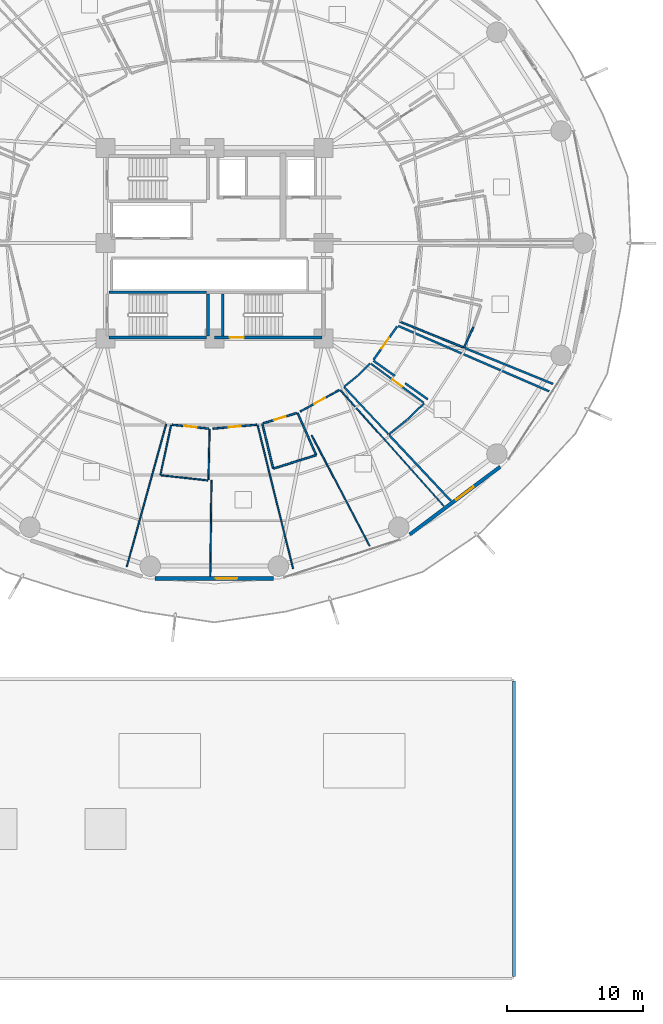
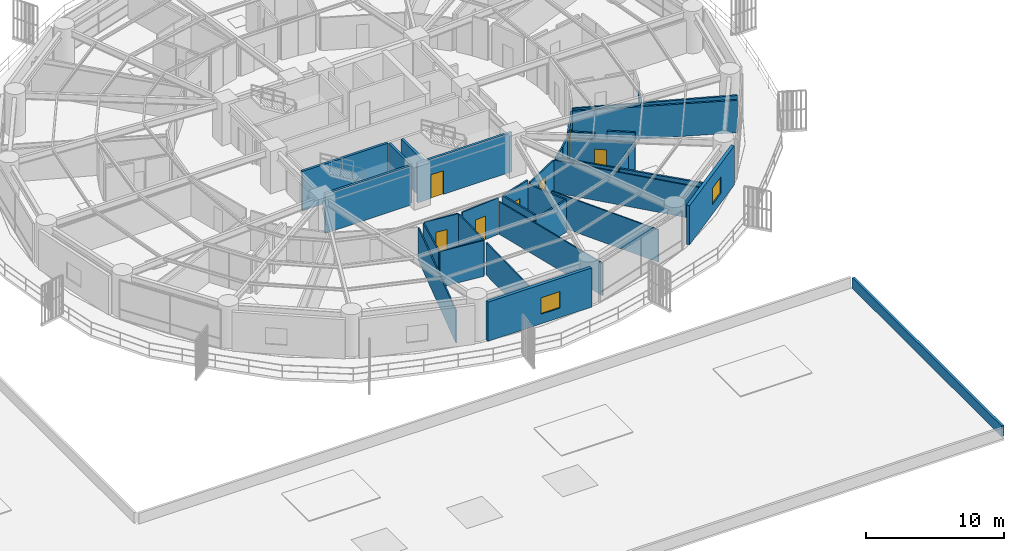
# One storey, part 25 of 35: 37 walls, 7 doors, 2 windows, 9 openings.
"""IFC4 building model written with IfcOpenShell, lengths in metres."""

from ifc_helpers import new_model, si_unit, direction, frame, frame_2d, origin, place, context, subcontext, project, spatial, rectangle, extrude, material, layer, layer_set, type_object, element, fill, save


model = new_model("IFC4")

# Units and contexts
model_context = context("Model", 3, precision=1e-05, world=origin(), true_north=direction((0.0, 1.0)))
body_context = subcontext(model_context, "Body", "Model", "MODEL_VIEW")
ifc_project = project(units=[si_unit("LENGTHUNIT", "METRE"), si_unit("AREAUNIT", "SQUARE_METRE"), si_unit("VOLUMEUNIT", "CUBIC_METRE"), si_unit("PLANEANGLEUNIT", "RADIAN"), si_unit("MASSUNIT", "GRAM", prefix="KILO")], contexts=[model_context])

# Site, building, storey
site_placement = place(None, origin())
site = spatial("IfcSite", under=ifc_project, at=site_placement, CompositionType="ELEMENT")
building_placement = place(site_placement, origin())
building = spatial("IfcBuilding", under=site, at=building_placement, Name="Kelanora Arch Commons", CompositionType="ELEMENT")
storey_placement = place(building_placement, frame((0.0, 0.0, 22.5)))
storey = spatial("IfcBuildingStorey", under=building, at=storey_placement, Name="L05", CompositionType="ELEMENT", Elevation=22.5)

# Wall, opening, door
ifc_material_1 = material(Name="Autoclaved aerated concrete blockwork with fire plaster", Category="masonry")
ifc_layer_1 = layer(ifc_material_1, 0.14990234375)
ifc_layer_set_1 = layer_set([ifc_layer_1], Name="Autoclaved aerated concrete blockwork with fire plaster")
wall_type_1 = type_object("IfcWallType", Name="W-COMP-150", PredefinedType="PARTITIONING", material=ifc_layer_set_1)
wall_1_placement = place(storey_placement, frame((85.685791015625, 49.43798828125, 0.0), z_axis=(0.0, 0.0, 1.0), x_axis=(0.579107689823, 0.815251055557, 0.0)))
wall_1 = element("IfcWall", 1, at=wall_1_placement, inside=storey, type_object=wall_type_1, Name="Co-Living Studio L05-13 Entry Partition", PredefinedType="PARTITIONING", context=body_context, shape_type="SweptSolid", body=[
    extrude(rectangle(XDim=3.00537109375, YDim=0.14990234375, at=frame_2d((1.502685546875, 0.0))), origin(), (0.0, 0.0, 1.0), 2.875),
])
opening_1_placement = place(wall_1_placement, frame((1.028076171875, 0.0, 0.0)))
opening_1 = element("IfcOpeningElement", 2, at=opening_1_placement, cuts=wall_1, Name="Opening D-CLU1", PredefinedType="OPENING", context=body_context, shape_type="SweptSolid", body=[
    extrude(rectangle(XDim=0.949951171875, YDim=2.080078125, at=frame_2d((0.47509765625, 1.0400390625))), frame((0.0, 0.0849609375, 0.0), z_axis=(0.0, -1.0, 0.0), x_axis=(1.0, 0.0, 0.0)), (0.0, 0.0, 1.0), 0.169921875),
])
ifc_material_2 = material(Name="Solid-core acoustic timber cluster entry fire door", Category="wood")
door_type_1 = type_object("IfcDoorType", Name="D-CLU-95", OperationType="NOTDEFINED", PredefinedType="DOOR", material=ifc_material_2)
door_1_placement = place(opening_1_placement, origin())
door_1 = element("IfcDoor", 3, at=door_1_placement, inside=storey, type_object=door_type_1, Name="Co-Living Studio L05-13 Door", OperationType="SINGLE_SWING_LEFT", OverallHeight=2.080078125, OverallWidth=0.949951171875, PredefinedType="DOOR", context=body_context, shape_type="SweptSolid", body=[
    extrude(rectangle(XDim=0.949951171875, YDim=2.080078125, at=frame_2d((0.47509765625, 1.0400390625))), frame((0.0, 0.02490234375, 0.0), z_axis=(0.0, -1.0, 0.0), x_axis=(1.0, 0.0, 0.0)), (0.0, 0.0, 1.0), 0.050048828125),
])
fill(opening_1, door_1)

# Walls
wall_2_placement = place(storey_placement, frame((87.497802734375, 51.921142578125, 0.0), z_axis=(0.0, 0.0, 1.0), x_axis=(0.917695041134, -0.397285554077, 0.0)))
element("IfcWall", 4, at=wall_2_placement, inside=storey, type_object=wall_type_1, Name="Co-Living Studio L05-13 Enclosure Partition 2", PredefinedType="PARTITIONING", context=body_context, shape_type="SweptSolid", body=[
    extrude(rectangle(XDim=12.06982421875, YDim=0.14990234375, at=frame_2d((6.034912109375, 0.0))), origin(), (0.0, 0.0, 1.0), 2.875),
])
wall_3_placement = place(storey_placement, frame((91.36767578125, 39.078125, 0.0), z_axis=(0.0, 0.0, 1.0), x_axis=(-0.684296653493, 0.729203736975, 0.0)))
element("IfcWall", 5, at=wall_3_placement, inside=storey, type_object=wall_type_1, Name="Co-Living Studio L05-13 Enclosure Partition 5", PredefinedType="PARTITIONING", context=body_context, shape_type="SweptSolid", body=[
    extrude(rectangle(XDim=6.60009765625, YDim=0.14990234375, at=frame_2d((3.300048828125, 0.0))), origin(), (0.0, 0.0, 1.0), 2.875),
])
wall_4_placement = place(storey_placement, frame((89.67138671875, 46.533203125, 0.0), z_axis=(0.0, 0.0, 1.0), x_axis=(-0.815281399299, 0.579064970411, 0.0)))
element("IfcWall", 6, at=wall_4_placement, inside=storey, type_object=wall_type_1, Name="Co-Living Studio L05-13 Enclosure Partition 7", PredefinedType="PARTITIONING", context=body_context, shape_type="SweptSolid", body=[
    extrude(rectangle(XDim=2.042236328125, YDim=0.14990234375, at=frame_2d((1.02099609375, 0.0))), origin(), (0.0, 0.0, 1.0), 3.47998046875),
])
wall_5_placement = place(storey_placement, frame((87.256103515625, 48.248779296875, 0.0), z_axis=(0.0, 0.0, 1.0), x_axis=(-0.815270043711, 0.579080957922, 0.0)))
element("IfcWall", 7, at=wall_5_placement, inside=storey, type_object=wall_type_1, Name="Co-Living Studio L05-13 Enclosure Partition 7", PredefinedType="PARTITIONING", context=body_context, shape_type="SweptSolid", body=[
    extrude(rectangle(XDim=1.9287109375, YDim=0.14990234375, at=frame_2d((0.96435546875, 0.0))), origin(), (0.0, 0.0, 1.0), 3.235107421875),
])
wall_6_placement = place(storey_placement, frame((98.864990234375, 47.6640625, 0.0), z_axis=(0.0, 0.0, 1.0), x_axis=(-0.926325178802, 0.376724917038, 0.0)))
element("IfcWall", 8, at=wall_6_placement, inside=storey, type_object=wall_type_1, Name="Co-Living Studio L05-14 Enclosure Partition 5", PredefinedType="PARTITIONING", context=body_context, shape_type="SweptSolid", body=[
    extrude(rectangle(XDim=6.9833984375, YDim=0.14990234375, at=frame_2d((3.49169921875, 0.0))), origin(), (0.0, 0.0, 1.0), 2.875),
])

# Wall, opening, window
ifc_material_3 = material(Name="Precast concrete C40/50 with terracotta rainscreen", Category="masonry")
ifc_layer_2 = layer(ifc_material_3, 0.260009765625)
ifc_layer_set_2 = layer_set([ifc_layer_2], Name="Precast concrete C40/50 with terracotta rainscreen")
wall_type_2 = type_object("IfcWallType", Name="W-EXT-TC", PredefinedType="SOLIDWALL", material=ifc_layer_set_2)
wall_7_placement = place(storey_placement, frame((69.64404296875, 33.3798828125, 0.0), z_axis=(0.0, 0.0, 1.0), x_axis=(1.0, 0.0, 0.0)))
wall_7 = element("IfcWall", 9, at=wall_7_placement, inside=storey, type_object=wall_type_2, Name="Terracotta Exterior Wall L05-B13", PredefinedType="SOLIDWALL", context=body_context, shape_type="SweptSolid", body=[
    extrude(rectangle(XDim=8.7119140625, YDim=0.260009765625, at=frame_2d((4.35595703125, 0.0))), origin(), (0.0, 0.0, 1.0), 3.47509765625),
])
opening_2_placement = place(wall_7_placement, frame((4.4560546875, 0.0, 0.85009765625)))
opening_2 = element("IfcOpeningElement", 10, at=opening_2_placement, cuts=wall_7, Name="Opening WN-01", PredefinedType="OPENING", context=body_context, shape_type="SweptSolid", body=[
    extrude(rectangle(XDim=1.60009765625, YDim=1.449951171875, at=frame_2d((0.800048828125, 0.72509765625))), frame((0.0, 0.14013671875, 0.0), z_axis=(0.0, -1.0, 0.0), x_axis=(1.0, 0.0, 0.0)), (0.0, 0.0, 1.0), 0.280029296875),
])
ifc_material_4 = material(Name="Terracotta-anodised aluminium frame with operable low-E glazing", Category="masonry")
window_type = type_object("IfcWindowType", Name="WIN-CL-18", PartitioningType="DOUBLE_PANEL_VERTICAL", PredefinedType="WINDOW", material=ifc_material_4)
window_1_placement = place(opening_2_placement, origin())
window_1 = element("IfcWindow", 11, at=window_1_placement, inside=storey, type_object=window_type, Name="Co-Living Operable Window L05-B13", OverallHeight=1.449951171875, OverallWidth=1.60009765625, PartitioningType="SINGLE_PANEL", PredefinedType="WINDOW", context=body_context, shape_type="SweptSolid", body=[
    extrude(rectangle(XDim=1.60009765625, YDim=1.449951171875, at=frame_2d((0.800048828125, 0.72509765625))), frame((0.0, 0.030029296875, 0.0), z_axis=(0.0, -1.0, 0.0), x_axis=(1.0, 0.0, 0.0)), (0.0, 0.0, 1.0), 0.06005859375),
])
fill(opening_2, window_1)

wall_8_placement = place(storey_placement, frame((88.348876953125, 36.61083984375, 0.0), z_axis=(0.0, 0.0, 1.0), x_axis=(0.80030733173, 0.599590005569, 0.0)))
wall_8 = element("IfcWall", 12, at=wall_8_placement, inside=storey, type_object=wall_type_2, Name="Terracotta Exterior Wall L05-B15", PredefinedType="SOLIDWALL", context=body_context, shape_type="SweptSolid", body=[
    extrude(rectangle(XDim=8.29052734375, YDim=0.260009765625, at=frame_2d((4.145263671875, 0.0))), origin(), (0.0, 0.0, 1.0), 3.47509765625),
])
opening_3_placement = place(wall_8_placement, frame((4.2451171875, 0.0, 0.85009765625)))
opening_3 = element("IfcOpeningElement", 13, at=opening_3_placement, cuts=wall_8, Name="Opening WN-01", PredefinedType="OPENING", context=body_context, shape_type="SweptSolid", body=[
    extrude(rectangle(XDim=1.60009765625, YDim=1.449951171875, at=frame_2d((0.800048828125, 0.72509765625))), frame((0.0, 0.14013671875, 0.0), z_axis=(0.0, -1.0, 0.0), x_axis=(1.0, 0.0, 0.0)), (0.0, 0.0, 1.0), 0.280029296875),
])
window_2_placement = place(opening_3_placement, origin())
window_2 = element("IfcWindow", 14, at=window_2_placement, inside=storey, type_object=window_type, Name="Co-Living Operable Window L05-B15", OverallHeight=1.449951171875, OverallWidth=1.60009765625, PartitioningType="SINGLE_PANEL", PredefinedType="WINDOW", context=body_context, shape_type="SweptSolid", body=[
    extrude(rectangle(XDim=1.60009765625, YDim=1.449951171875, at=frame_2d((0.800048828125, 0.72509765625))), frame((0.0, 0.030029296875, 0.0), z_axis=(0.0, -1.0, 0.0), x_axis=(1.0, 0.0, 0.0)), (0.0, 0.0, 1.0), 0.06005859375),
])
fill(opening_3, window_2)

# Walls
ifc_material_5 = material(Name="Precast concrete C40/50 parapet", Category="concrete")
ifc_layer_3 = layer(ifc_material_5, 0.18994140625)
ifc_layer_set_3 = layer_set([ifc_layer_3], Name="Precast concrete C40/50 parapet")
wall_type_3 = type_object("IfcWallType", Name="W-PARAPET", PredefinedType="PARAPET", material=ifc_layer_set_3)
wall_9_placement = place(storey_placement, frame((96.0, 4.14990234375, 0.0), z_axis=(0.0, 0.0, 1.0), x_axis=(0.0, 1.0, 0.0)))
element("IfcWall", 15, at=wall_9_placement, inside=storey, type_object=wall_type_3, Name="Market Hall Roof Parapet 2", PredefinedType="PARAPET", context=body_context, shape_type="SweptSolid", body=[
    extrude(rectangle(XDim=21.7001953125, YDim=0.18994140625, at=frame_2d((10.85009765625, 0.0))), origin(), (0.0, 0.0, 1.0), 0.949951171875),
])
ifc_material_6 = material(Name="Lightweight fire-rated acoustic stud partition")
ifc_layer_4 = layer(ifc_material_6, 0.10009765625)
ifc_layer_set_4 = layer_set([ifc_layer_4], Name="Lightweight fire-rated acoustic stud partition")
wall_type_4 = type_object("IfcWallType", Name="W-PART-100", PredefinedType="PARTITIONING", material=ifc_layer_set_4)
wall_10_placement = place(storey_placement, frame((70.46630859375, 44.71142578125, 0.0), z_axis=(0.0, 0.0, 1.0), x_axis=(-0.26671307518, -0.963775977875, 0.0)))
element("IfcWall", 16, at=wall_10_placement, inside=storey, type_object=wall_type_4, Name="Quiet Seminar Study Room L05-10 Enclosure Partition 2", PredefinedType="PARTITIONING", context=body_context, shape_type="SweptSolid", body=[
    extrude(rectangle(XDim=10.864501953125, YDim=0.10009765625, at=frame_2d((5.43212890625, 0.0))), origin(), (0.0, 0.0, 1.0), 2.875),
])
wall_11_placement = place(storey_placement, frame((73.652099609375, 44.333984375, 0.0), z_axis=(0.0, 0.0, 1.0), x_axis=(-0.02316715399, -0.99973160547, 0.0)))
element("IfcWall", 17, at=wall_11_placement, inside=storey, type_object=wall_type_4, Name="Student Laundry Room L05-11 Enclosure Partition 2", PredefinedType="PARTITIONING", context=body_context, shape_type="SweptSolid", body=[
    extrude(rectangle(XDim=3.719970703125, YDim=0.10009765625, at=frame_2d((1.85986328125, 0.0))), origin(), (0.0, 0.0, 1.0), 3.175048828125),
])
wall_12_placement = place(storey_placement, frame((73.525146484375, 40.579345703125, 0.0), z_axis=(0.0, 0.0, 1.0), x_axis=(-0.994070147468, 0.108740709544, 0.0)))
element("IfcWall", 18, at=wall_12_placement, inside=storey, type_object=wall_type_4, Name="Student Laundry Room L05-11 Enclosure Partition 3", PredefinedType="PARTITIONING", context=body_context, shape_type="SweptSolid", body=[
    extrude(rectangle(XDim=3.470947265625, YDim=0.10009765625, at=frame_2d((1.7353515625, 0.0))), origin(), (0.0, 0.0, 1.0), 3.175048828125),
])
wall_13_placement = place(storey_placement, frame((70.04345703125, 41.0, 0.0), z_axis=(0.0, 0.0, 1.0), x_axis=(0.210519412271, 0.977589677246, 0.0)))
element("IfcWall", 19, at=wall_13_placement, inside=storey, type_object=wall_type_4, Name="Student Laundry Room L05-11 Enclosure Partition 4", PredefinedType="PARTITIONING", context=body_context, shape_type="SweptSolid", body=[
    extrude(rectangle(XDim=3.72021484375, YDim=0.10009765625, at=frame_2d((1.860107421875, 0.0))), origin(), (0.0, 0.0, 1.0), 3.175048828125),
])
wall_14_placement = place(storey_placement, frame((77.174560546875, 44.63720703125, 0.0), z_axis=(0.0, 0.0, 1.0), x_axis=(0.239971369295, -0.970779965759, 0.0)))
element("IfcWall", 20, at=wall_14_placement, inside=storey, type_object=wall_type_4, Name="Quiet Reading Carrel L05-11 Enclosure Partition 2", PredefinedType="PARTITIONING", context=body_context, shape_type="SweptSolid", body=[
    extrude(rectangle(XDim=10.84619140625, YDim=0.10009765625, at=frame_2d((5.423095703125, 0.0))), origin(), (0.0, 0.0, 1.0), 2.875),
])
wall_15_placement = place(storey_placement, frame((73.701416015625, 33.56103515625, 0.0), z_axis=(0.0, 0.0, 1.0), x_axis=(0.012537113793, 0.9999214073, 0.0)))
element("IfcWall", 21, at=wall_15_placement, inside=storey, type_object=wall_type_4, Name="Quiet Reading Carrel L05-11 Enclosure Partition 4", PredefinedType="PARTITIONING", context=body_context, shape_type="SweptSolid", body=[
    extrude(rectangle(XDim=7.04931640625, YDim=0.10009765625, at=frame_2d((3.524658203125, 0.0))), origin(), (0.0, 0.0, 1.0), 2.875),
])
wall_16_placement = place(storey_placement, frame((83.253662109375, 47.211181640625, 0.0), z_axis=(0.0, 0.0, 1.0), x_axis=(0.66580890104, -0.746122313897, 0.0)))
element("IfcWall", 22, at=wall_16_placement, inside=storey, type_object=wall_type_4, Name="Tutorial Study Alcove L05-12 Enclosure Partition 2", PredefinedType="PARTITIONING", context=body_context, shape_type="SweptSolid", body=[
    extrude(rectangle(XDim=11.3994140625, YDim=0.10009765625, at=frame_2d((5.69970703125, 0.0))), origin(), (0.0, 0.0, 1.0), 2.875),
])
wall_17_placement = place(storey_placement, frame((85.4013671875, 35.769287109375, 0.0), z_axis=(0.0, 0.0, 1.0), x_axis=(-0.464308397246, 0.885673592384, 0.0)))
element("IfcWall", 23, at=wall_17_placement, inside=storey, type_object=wall_type_4, Name="Tutorial Study Alcove L05-12 Enclosure Partition 4", PredefinedType="PARTITIONING", context=body_context, shape_type="SweptSolid", body=[
    extrude(rectangle(XDim=9.170166015625, YDim=0.10009765625, at=frame_2d((4.5849609375, 0.0))), origin(), (0.0, 0.0, 1.0), 2.875),
])

# Wall, opening, door
ifc_material_7 = material(Name="Acoustic twin-stud fire-rated gypsum partition")
ifc_layer_5 = layer(ifc_material_7, 0.1201171875)
ifc_layer_set_5 = layer_set([ifc_layer_5], Name="Acoustic twin-stud fire-rated gypsum partition")
wall_type_5 = type_object("IfcWallType", Name="W-PART-120", PredefinedType="PARTITIONING", material=ifc_layer_set_5)
wall_18_placement = place(storey_placement, frame((70.894775390625, 44.669677734375, 0.0), z_axis=(0.0, 0.0, 1.0), x_axis=(0.994302004983, -0.106599825921, 0.0)))
wall_18 = element("IfcWall", 24, at=wall_18_placement, inside=storey, type_object=wall_type_5, Name="Student Laundry Room L05-11 Entry Partition", PredefinedType="PARTITIONING", context=body_context, shape_type="SweptSolid", body=[
    extrude(rectangle(XDim=2.7138671875, YDim=0.1201171875, at=frame_2d((1.35693359375, 0.0))), origin(), (0.0, 0.0, 1.0), 3.235107421875),
])
opening_4_placement = place(wall_18_placement, frame((0.906982421875, 0.0, 0.0)))
opening_4 = element("IfcOpeningElement", 25, at=opening_4_placement, cuts=wall_18, Name="Opening D-RM1", PredefinedType="OPENING", context=body_context, shape_type="SweptSolid", body=[
    extrude(rectangle(XDim=0.89990234375, YDim=2.080078125, at=frame_2d((0.449951171875, 1.0400390625))), frame((0.0, 0.070068359375, 0.0), z_axis=(0.0, -1.0, 0.0), x_axis=(1.0, 0.0, 0.0)), (0.0, 0.0, 1.0), 0.14013671875),
])
ifc_material_8 = material(Name="Acoustic fire-rated timber study and lounge door", Category="wood")
door_type_2 = type_object("IfcDoorType", Name="D-ROOM-90", OperationType="NOTDEFINED", PredefinedType="DOOR", material=ifc_material_8)
door_2_placement = place(opening_4_placement, origin())
door_2 = element("IfcDoor", 26, at=door_2_placement, inside=storey, type_object=door_type_2, Name="Student Laundry Room L05-11 Door", OperationType="SINGLE_SWING_RIGHT", OverallHeight=2.080078125, OverallWidth=0.89990234375, PredefinedType="DOOR", context=body_context, shape_type="SweptSolid", body=[
    extrude(rectangle(XDim=0.89990234375, YDim=2.080078125, at=frame_2d((0.449951171875, 1.0400390625))), frame((0.0, 0.02490234375, 0.0), z_axis=(0.0, -1.0, 0.0), x_axis=(1.0, 0.0, 0.0)), (0.0, 0.0, 1.0), 0.050048828125),
])
fill(opening_4, door_2)

wall_19_placement = place(storey_placement, frame((73.896728515625, 44.37646484375, 0.0), z_axis=(0.0, 0.0, 1.0), x_axis=(0.995829610124, 0.091232601628, 0.0)))
wall_19 = element("IfcWall", 27, at=wall_19_placement, inside=storey, type_object=wall_type_5, Name="Quiet Reading Carrel L05-11 Entry Partition", PredefinedType="PARTITIONING", context=body_context, shape_type="SweptSolid", body=[
    extrude(rectangle(XDim=3.221923828125, YDim=0.1201171875, at=frame_2d((1.61083984375, 0.0))), origin(), (0.0, 0.0, 1.0), 3.235107421875),
])
opening_5_placement = place(wall_19_placement, frame((1.160888671875, 0.0, 0.0)))
opening_5 = element("IfcOpeningElement", 28, at=opening_5_placement, cuts=wall_19, Name="Opening D-RM1", PredefinedType="OPENING", context=body_context, shape_type="SweptSolid", body=[
    extrude(rectangle(XDim=0.89990234375, YDim=2.080078125, at=frame_2d((0.449951171875, 1.0400390625))), frame((0.0, 0.070068359375, 0.0), z_axis=(0.0, -1.0, 0.0), x_axis=(1.0, 0.0, 0.0)), (0.0, 0.0, 1.0), 0.14013671875),
])
door_3_placement = place(opening_5_placement, origin())
door_3 = element("IfcDoor", 29, at=door_3_placement, inside=storey, type_object=door_type_2, Name="Quiet Reading Carrel L05-11 Door", OperationType="SINGLE_SWING_LEFT", OverallHeight=2.080078125, OverallWidth=0.89990234375, PredefinedType="DOOR", context=body_context, shape_type="SweptSolid", body=[
    extrude(rectangle(XDim=0.89990234375, YDim=2.080078125, at=frame_2d((0.449951171875, 1.0400390625))), frame((0.0, 0.02490234375, 0.0), z_axis=(0.0, -1.0, 0.0), x_axis=(1.0, 0.0, 0.0)), (0.0, 0.0, 1.0), 0.050048828125),
])
fill(opening_5, door_3)

wall_20_placement = place(storey_placement, frame((80.298583984375, 45.6318359375, 0.0), z_axis=(0.0, 0.0, 1.0), x_axis=(0.876387079092, 0.481607399861, 0.0)))
wall_20 = element("IfcWall", 30, at=wall_20_placement, inside=storey, type_object=wall_type_5, Name="Tutorial Study Alcove L05-12 Entry Partition", PredefinedType="PARTITIONING", context=body_context, shape_type="SweptSolid", body=[
    extrude(rectangle(XDim=3.28125, YDim=0.1201171875, at=frame_2d((1.640625, 0.0))), origin(), (0.0, 0.0, 1.0), 2.875),
])
opening_6_placement = place(wall_20_placement, frame((1.19091796875, 0.0, 0.0)))
opening_6 = element("IfcOpeningElement", 31, at=opening_6_placement, cuts=wall_20, Name="Opening D-RM1", PredefinedType="OPENING", context=body_context, shape_type="SweptSolid", body=[
    extrude(rectangle(XDim=0.89990234375, YDim=2.080078125, at=frame_2d((0.449951171875, 1.0400390625))), frame((0.0, 0.070068359375, 0.0), z_axis=(0.0, -1.0, 0.0), x_axis=(1.0, 0.0, 0.0)), (0.0, 0.0, 1.0), 0.14013671875),
])
door_4_placement = place(opening_6_placement, origin())
door_4 = element("IfcDoor", 32, at=door_4_placement, inside=storey, type_object=door_type_2, Name="Tutorial Study Alcove L05-12 Door", OperationType="SINGLE_SWING_LEFT", OverallHeight=2.080078125, OverallWidth=0.89990234375, PredefinedType="DOOR", context=body_context, shape_type="SweptSolid", body=[
    extrude(rectangle(XDim=0.89990234375, YDim=2.080078125, at=frame_2d((0.449951171875, 1.0400390625))), frame((0.0, 0.02490234375, 0.0), z_axis=(0.0, -1.0, 0.0), x_axis=(1.0, 0.0, 0.0)), (0.0, 0.0, 1.0), 0.050048828125),
])
fill(opening_6, door_4)

ifc_material_9 = material(Name="Concrete C40/50", Category="concrete")
ifc_layer_6 = layer(ifc_material_9, 0.199951171875)
ifc_layer_set_6 = layer_set([ifc_layer_6], Name="Concrete C40/50")
wall_type_6 = type_object("IfcWallType", Name="W-STAIR-200", PredefinedType="SHEAR", material=ifc_layer_set_6)
wall_21_placement = place(storey_placement, frame((74.0, 51.080078125, 0.0), z_axis=(0.0, 0.0, 1.0), x_axis=(1.0, 0.0, 0.0)))
wall_21 = element("IfcWall", 33, at=wall_21_placement, inside=storey, type_object=wall_type_6, Name="Stair ST-T2 Shaft Wall S L05", PredefinedType="SHEAR", context=body_context, shape_type="SweptSolid", body=[
    extrude(rectangle(XDim=7.89990234375, YDim=0.199951171875, at=frame_2d((3.949951171875, 0.0))), origin(), (0.0, 0.0, 1.0), 3.489990234375),
])
opening_7_placement = place(wall_21_placement, frame((1.1201171875, 0.0, 0.0)))
opening_7 = element("IfcOpeningElement", 34, at=opening_7_placement, cuts=wall_21, Name="Opening D-ST1", PredefinedType="OPENING", context=body_context, shape_type="SweptSolid", body=[
    extrude(rectangle(XDim=1.050048828125, YDim=2.10009765625, at=frame_2d((0.52490234375, 1.050048828125))), frame((0.0, 0.10986328125, 0.0), z_axis=(0.0, -1.0, 0.0), x_axis=(1.0, 0.0, 0.0)), (0.0, 0.0, 1.0), 0.219970703125),
])
ifc_material_10 = material(Name="Steel fire-rated stairwell escape door", Category="steel")
door_type_3 = type_object("IfcDoorType", Name="D-STAIR-110", OperationType="NOTDEFINED", PredefinedType="DOOR", material=ifc_material_10)
door_5_placement = place(opening_7_placement, origin())
door_5 = element("IfcDoor", 35, at=door_5_placement, inside=storey, type_object=door_type_3, Name="Stair ST-T2 Escape Door L05", OperationType="SINGLE_SWING_LEFT", OverallHeight=2.10009765625, OverallWidth=1.050048828125, PredefinedType="DOOR", context=body_context, shape_type="SweptSolid", body=[
    extrude(rectangle(XDim=1.050048828125, YDim=2.10009765625, at=frame_2d((0.52490234375, 1.050048828125))), frame((0.0, 0.02490234375, 0.0), z_axis=(0.0, -1.0, 0.0), x_axis=(1.0, 0.0, 0.0)), (0.0, 0.0, 1.0), 0.050048828125),
])
fill(opening_7, door_5)

# Walls
wall_22_placement = place(storey_placement, frame((74.6201171875, 54.27001953125, 0.0), z_axis=(0.0, 0.0, 1.0), x_axis=(0.0, -1.0, 0.0)))
element("IfcWall", 36, at=wall_22_placement, inside=storey, type_object=wall_type_6, Name="Stair ST-T2 Shaft Wall W L05", PredefinedType="SHEAR", context=body_context, shape_type="SweptSolid", body=[
    extrude(rectangle(XDim=3.070068359375, YDim=0.199951171875, at=frame_2d((1.53515625, 0.0))), origin(), (0.0, 0.0, 1.0), 3.489990234375),
])
wall_23_placement = place(storey_placement, frame((66.260009765625, 51.080078125, 0.0), z_axis=(0.0, 0.0, 1.0), x_axis=(1.0, 0.0, 0.0)))
element("IfcWall", 37, at=wall_23_placement, inside=storey, type_object=wall_type_6, Name="Stair ST-T3 Shaft Wall S L05", PredefinedType="SHEAR", context=body_context, shape_type="SweptSolid", body=[
    extrude(rectangle(XDim=7.159912109375, YDim=0.199951171875, at=frame_2d((3.580078125, 0.0))), origin(), (0.0, 0.0, 1.0), 3.489990234375),
])
wall_24_placement = place(storey_placement, frame((73.5400390625, 51.199951171875, 0.0), z_axis=(0.0, 0.0, 1.0), x_axis=(0.0, 1.0, 0.0)))
element("IfcWall", 38, at=wall_24_placement, inside=storey, type_object=wall_type_6, Name="Stair ST-T3 Shaft Wall E L05", PredefinedType="SHEAR", context=body_context, shape_type="SweptSolid", body=[
    extrude(rectangle(XDim=3.070068359375, YDim=0.199951171875, at=frame_2d((1.53515625, 0.0))), origin(), (0.0, 0.0, 1.0), 3.489990234375),
])
wall_25_placement = place(storey_placement, frame((73.419921875, 54.389892578125, 0.0), z_axis=(0.0, 0.0, 1.0), x_axis=(-1.0, 0.0, 0.0)))
element("IfcWall", 39, at=wall_25_placement, inside=storey, type_object=wall_type_6, Name="Stair ST-T3 Shaft Wall N L05", PredefinedType="SHEAR", context=body_context, shape_type="SweptSolid", body=[
    extrude(rectangle(XDim=7.159912109375, YDim=0.199951171875, at=frame_2d((3.580078125, 0.0))), origin(), (0.0, 0.0, 1.0), 3.489990234375),
])

# Wall, opening, door
ifc_material_11 = material(Name="Moisture-resistant fire-rated cement-board plumbing wall")
ifc_layer_7 = layer(ifc_material_11, 0.1298828125)
ifc_layer_set_7 = layer_set([ifc_layer_7], Name="Moisture-resistant fire-rated cement-board plumbing wall")
wall_type_7 = type_object("IfcWallType", Name="W-WET-120", PredefinedType="PLUMBINGWALL", material=ifc_layer_set_7)
wall_26_placement = place(storey_placement, frame((77.580322265625, 44.767578125, 0.0), z_axis=(0.0, 0.0, 1.0), x_axis=(0.955754448098, 0.294165659011, 0.0)))
wall_26 = element("IfcWall", 40, at=wall_26_placement, inside=storey, type_object=wall_type_7, Name="Accessible Shared Floor WC L05-12 Entry Partition", PredefinedType="PLUMBINGWALL", context=body_context, shape_type="SweptSolid", body=[
    extrude(rectangle(XDim=2.579345703125, YDim=0.1298828125, at=frame_2d((1.28955078125, 0.0))), origin(), (0.0, 0.0, 1.0), 3.235107421875),
])
opening_8_placement = place(wall_26_placement, frame((0.860107421875, 0.0, 0.0)))
opening_8 = element("IfcOpeningElement", 41, at=opening_8_placement, cuts=wall_26, Name="Opening D-BT1", PredefinedType="OPENING", context=body_context, shape_type="SweptSolid", body=[
    extrude(rectangle(XDim=0.860107421875, YDim=2.050048828125, at=frame_2d((0.43017578125, 1.02490234375))), frame((0.0, 0.074951171875, 0.0), z_axis=(0.0, -1.0, 0.0), x_axis=(1.0, 0.0, 0.0)), (0.0, 0.0, 1.0), 0.14990234375),
])
ifc_material_12 = material(Name="Moisture-sealed fire-rated accessible bathroom door")
door_type_4 = type_object("IfcDoorType", Name="D-BATH-85", OperationType="NOTDEFINED", PredefinedType="DOOR", material=ifc_material_12)
door_6_placement = place(opening_8_placement, origin())
door_6 = element("IfcDoor", 42, at=door_6_placement, inside=storey, type_object=door_type_4, Name="Accessible Shared Floor WC L05-12 Door", OperationType="SINGLE_SWING_RIGHT", OverallHeight=2.050048828125, OverallWidth=0.860107421875, PredefinedType="DOOR", context=body_context, shape_type="SweptSolid", body=[
    extrude(rectangle(XDim=0.860107421875, YDim=2.050048828125, at=frame_2d((0.43017578125, 1.02490234375))), frame((0.0, 0.02490234375, 0.0), z_axis=(0.0, -1.0, 0.0), x_axis=(1.0, 0.0, 0.0)), (0.0, 0.0, 1.0), 0.050048828125),
])
fill(opening_8, door_6)

wall_27_placement = place(storey_placement, frame((85.506103515625, 49.143310546875, 0.0), z_axis=(0.0, 0.0, 1.0), x_axis=(0.80412644244, -0.594458295063, 0.0)))
wall_27 = element("IfcWall", 43, at=wall_27_placement, inside=storey, type_object=wall_type_7, Name="En-Suite Shower WC L05-13 Entry Partition", PredefinedType="PLUMBINGWALL", context=body_context, shape_type="SweptSolid", body=[
    extrude(rectangle(XDim=4.798583984375, YDim=0.1298828125, at=frame_2d((2.3994140625, 0.0))), origin(), (0.0, 0.0, 1.0), 2.875),
])
opening_9_placement = place(wall_27_placement, frame((1.968994140625, 0.0, 0.0)))
opening_9 = element("IfcOpeningElement", 44, at=opening_9_placement, cuts=wall_27, Name="Opening D-BT1", PredefinedType="OPENING", context=body_context, shape_type="SweptSolid", body=[
    extrude(rectangle(XDim=0.860107421875, YDim=2.050048828125, at=frame_2d((0.43017578125, 1.02490234375))), frame((0.0, 0.074951171875, 0.0), z_axis=(0.0, -1.0, 0.0), x_axis=(1.0, 0.0, 0.0)), (0.0, 0.0, 1.0), 0.14990234375),
])
door_7_placement = place(opening_9_placement, origin())
door_7 = element("IfcDoor", 45, at=door_7_placement, inside=storey, type_object=door_type_4, Name="En-Suite Shower WC L05-13 Door", OperationType="SINGLE_SWING_RIGHT", OverallHeight=2.050048828125, OverallWidth=0.860107421875, PredefinedType="DOOR", context=body_context, shape_type="SweptSolid", body=[
    extrude(rectangle(XDim=0.860107421875, YDim=2.050048828125, at=frame_2d((0.43017578125, 1.02490234375))), frame((0.0, 0.02490234375, 0.0), z_axis=(0.0, -1.0, 0.0), x_axis=(1.0, 0.0, 0.0)), (0.0, 0.0, 1.0), 0.050048828125),
])
fill(opening_9, door_7)

# Walls
wall_28_placement = place(storey_placement, frame((80.111083984375, 45.525634765625, 0.0), z_axis=(0.0, 0.0, 1.0), x_axis=(0.405936178007, -0.913901427608, 0.0)))
element("IfcWall", 46, at=wall_28_placement, inside=storey, type_object=wall_type_7, Name="Accessible Shared Floor WC L05-12 Enclosure Partition 2", PredefinedType="PLUMBINGWALL", context=body_context, shape_type="SweptSolid", body=[
    extrude(rectangle(XDim=3.359619140625, YDim=0.1298828125, at=frame_2d((1.6796875, 0.0))), origin(), (0.0, 0.0, 1.0), 2.875),
])
wall_29_placement = place(storey_placement, frame((81.4638671875, 42.430908203125, 0.0), z_axis=(0.0, 0.0, 1.0), x_axis=(-0.954175708416, -0.299246917226, 0.0)))
element("IfcWall", 47, at=wall_29_placement, inside=storey, type_object=wall_type_7, Name="Accessible Shared Floor WC L05-12 Enclosure Partition 3", PredefinedType="PLUMBINGWALL", context=body_context, shape_type="SweptSolid", body=[
    extrude(rectangle(XDim=3.27490234375, YDim=0.1298828125, at=frame_2d((1.637451171875, 0.0))), origin(), (0.0, 0.0, 1.0), 2.875),
])
wall_30_placement = place(storey_placement, frame((78.315185546875, 41.46435546875, 0.0), z_axis=(0.0, 0.0, 1.0), x_axis=(-0.234406131581, 0.972138758345, 0.0)))
element("IfcWall", 48, at=wall_30_placement, inside=storey, type_object=wall_type_7, Name="Accessible Shared Floor WC L05-12 Enclosure Partition 4", PredefinedType="PLUMBINGWALL", context=body_context, shape_type="SweptSolid", body=[
    extrude(rectangle(XDim=3.35986328125, YDim=0.1298828125, at=frame_2d((1.679931640625, 0.0))), origin(), (0.0, 0.0, 1.0), 3.235107421875),
])
wall_31_placement = place(storey_placement, frame((83.529541015625, 47.460693359375, 0.0), z_axis=(0.0, 0.0, 1.0), x_axis=(0.77596084644, 0.63078107517, 0.0)))
element("IfcWall", 49, at=wall_31_placement, inside=storey, type_object=wall_type_7, Name="En-Suite Shower WC L05-13 Enclosure Partition 1", PredefinedType="PLUMBINGWALL", context=body_context, shape_type="SweptSolid", body=[
    extrude(rectangle(XDim=1.26806640625, YDim=0.1298828125, at=frame_2d((0.634033203125, 0.0))), origin(), (0.0, 0.0, 1.0), 2.875),
])
wall_32_placement = place(storey_placement, frame((84.543212890625, 48.287109375, 0.0), z_axis=(0.0, 0.0, 1.0), x_axis=(0.715980731769, 0.698120041064, 0.0)))
element("IfcWall", 50, at=wall_32_placement, inside=storey, type_object=wall_type_7, Name="En-Suite Shower WC L05-13 Enclosure Partition 2", PredefinedType="PLUMBINGWALL", context=body_context, shape_type="SweptSolid", body=[
    extrude(rectangle(XDim=1.257568359375, YDim=0.1298828125, at=frame_2d((0.62890625, 0.0))), origin(), (0.0, 0.0, 1.0), 2.875),
])
wall_33_placement = place(storey_placement, frame((89.398681640625, 46.2412109375, 0.0), z_axis=(0.0, 0.0, 1.0), x_axis=(-0.719664402118, -0.694322078234, 0.0)))
element("IfcWall", 51, at=wall_33_placement, inside=storey, type_object=wall_type_7, Name="En-Suite Shower WC L05-13 Enclosure Partition 4", PredefinedType="PLUMBINGWALL", context=body_context, shape_type="SweptSolid", body=[
    extrude(rectangle(XDim=1.695556640625, YDim=0.1298828125, at=frame_2d((0.84765625, 0.0))), origin(), (0.0, 0.0, 1.0), 2.875),
])
wall_34_placement = place(storey_placement, frame((88.1484375, 45.03759765625, 0.0), z_axis=(0.0, 0.0, 1.0), x_axis=(-0.778806140639, -0.627264693174, 0.0)))
element("IfcWall", 52, at=wall_34_placement, inside=storey, type_object=wall_type_7, Name="En-Suite Shower WC L05-13 Enclosure Partition 5", PredefinedType="PLUMBINGWALL", context=body_context, shape_type="SweptSolid", body=[
    extrude(rectangle(XDim=1.712646484375, YDim=0.1298828125, at=frame_2d((0.8564453125, 0.0))), origin(), (0.0, 0.0, 1.0), 3.175048828125),
])
wall_35_placement = place(storey_placement, frame((86.785400390625, 43.965576171875, 0.0), z_axis=(0.0, 0.0, 1.0), x_axis=(-0.68469858897, 0.728826345753, 0.0)))
element("IfcWall", 53, at=wall_35_placement, inside=storey, type_object=wall_type_7, Name="En-Suite Shower WC L05-13 Enclosure Partition 6", PredefinedType="PLUMBINGWALL", context=body_context, shape_type="SweptSolid", body=[
    extrude(rectangle(XDim=4.758056640625, YDim=0.1298828125, at=frame_2d((2.37890625, 0.0))), origin(), (0.0, 0.0, 1.0), 2.875),
])
wall_36_placement = place(storey_placement, frame((93.013671875, 51.829833984375, 0.0), z_axis=(0.0, 0.0, 1.0), x_axis=(-0.41762687648, -0.908618617486, 0.0)))
element("IfcWall", 54, at=wall_36_placement, inside=storey, type_object=wall_type_7, Name="En-Suite Shower WC L05-14 Enclosure Partition 5", PredefinedType="PLUMBINGWALL", context=body_context, shape_type="SweptSolid", body=[
    extrude(rectangle(XDim=1.634033203125, YDim=0.1298828125, at=frame_2d((0.81689453125, 0.0))), origin(), (0.0, 0.0, 1.0), 2.875),
])
wall_37_placement = place(storey_placement, frame((92.304443359375, 50.33447265625, 0.0), z_axis=(0.0, 0.0, 1.0), x_axis=(-0.926504606816, 0.376283421835, 0.0)))
element("IfcWall", 55, at=wall_37_placement, inside=storey, type_object=wall_type_7, Name="En-Suite Shower WC L05-14 Enclosure Partition 6", PredefinedType="PLUMBINGWALL", context=body_context, shape_type="SweptSolid", body=[
    extrude(rectangle(XDim=5.0361328125, YDim=0.1298828125, at=frame_2d((2.51806640625, 0.0))), origin(), (0.0, 0.0, 1.0), 2.875),
])

save(model, "model.ifc")
